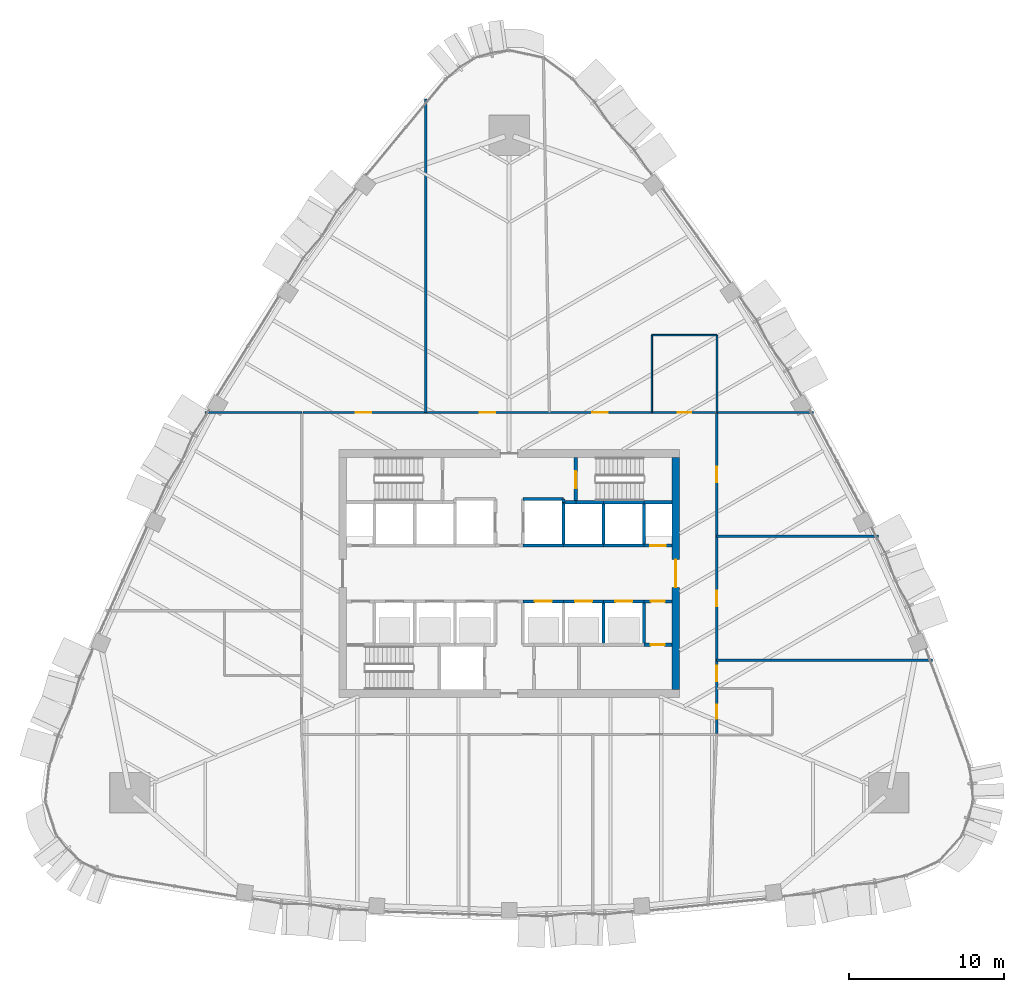
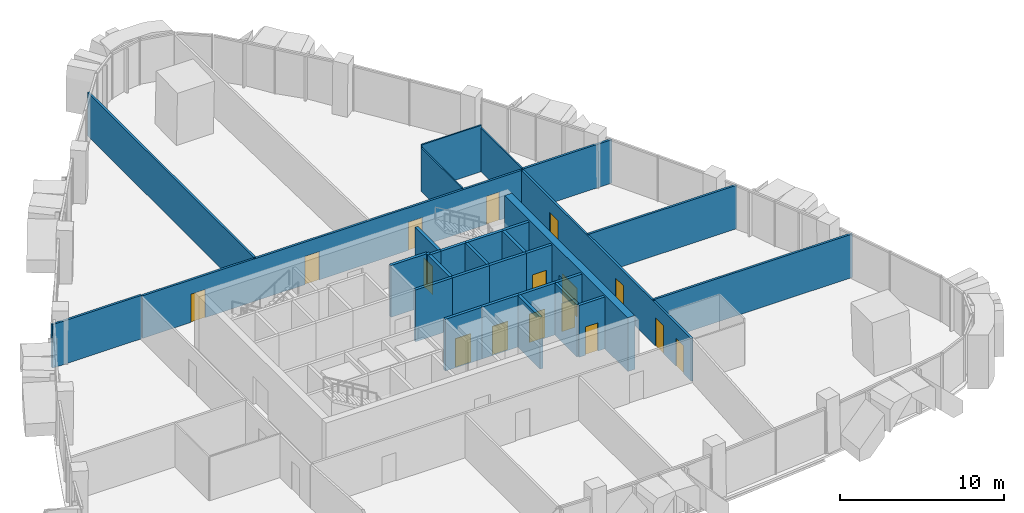
# One storey, part 12 of 17: 32 walls, 16 doors, 16 openings.
"""IFC4 building model written with IfcOpenShell, lengths in metres."""

from ifc_helpers import new_model, si_unit, direction, frame, frame_2d, origin, place, context, subcontext, project, spatial, rectangle, extrude, material, layer, layer_set, type_object, element, fill, save


model = new_model("IFC4")

# Units and contexts
model_context = context("Model", 3, precision=1e-05, world=origin(), true_north=direction((0.0, 1.0)))
body_context = subcontext(model_context, "Body", "Model", "MODEL_VIEW")
ifc_project = project(units=[si_unit("LENGTHUNIT", "METRE"), si_unit("AREAUNIT", "SQUARE_METRE"), si_unit("VOLUMEUNIT", "CUBIC_METRE"), si_unit("PLANEANGLEUNIT", "RADIAN"), si_unit("MASSUNIT", "GRAM", prefix="KILO")], contexts=[model_context])

# Site, building, storey
site_placement = place(None, origin())
site = spatial("IfcSite", under=ifc_project, at=site_placement, CompositionType="ELEMENT")
building_placement = place(site_placement, origin())
building = spatial("IfcBuilding", under=site, at=building_placement, Name="Sierra Prisma Convention Tower", CompositionType="ELEMENT")
storey_placement = place(building_placement, frame((0.0, 0.0, 145.800048828125)))
storey = spatial("IfcBuildingStorey", under=building, at=storey_placement, Name="L31", CompositionType="ELEMENT", Elevation=145.800048828125)

# Walls
ifc_material_1 = material(Name="Gypsum board partition", Category="gypsum")
ifc_layer_1 = layer(ifc_material_1, 0.10009765625)
ifc_layer_set_1 = layer_set([ifc_layer_1], Name="Bathroom partition 100")
wall_type_1 = type_object("IfcWallType", Name="Bathroom partition 100", PredefinedType="PARTITIONING", material=ifc_layer_set_1)
wall_1_placement = place(storey_placement, frame((9.219970703125, 10.429931640625, 0.0), z_axis=(0.0, 0.0, 1.0), x_axis=(0.0, 1.0, 0.0)))
element("IfcWall", 1, at=wall_1_placement, inside=storey, type_object=wall_type_1, Name="Partition L31 bath 3", PredefinedType="PARTITIONING", context=body_context, shape_type="SweptSolid", body=[
    extrude(rectangle(XDim=4.969970703125, YDim=0.10009765625, at=frame_2d((2.48486328125, 0.0))), origin(), (0.0, 0.0, 1.0), 3.2470703125),
])
wall_2_placement = place(storey_placement, frame((9.219970703125, 15.39990234375, 0.0), z_axis=(0.0, 0.0, 1.0), x_axis=(1.0, 0.0, 0.0)))
element("IfcWall", 2, at=wall_2_placement, inside=storey, type_object=wall_type_1, Name="Partition L31 bath 4", PredefinedType="PARTITIONING", context=body_context, shape_type="SweptSolid", body=[
    extrude(rectangle(XDim=4.199951171875, YDim=0.10009765625, at=frame_2d((2.10009765625, 0.0))), origin(), (0.0, 0.0, 1.0), 3.449951171875),
])
wall_3_placement = place(storey_placement, frame((13.419921875, 15.39990234375, 0.0), z_axis=(0.0, 0.0, 1.0), x_axis=(0.0, -1.0, 0.0)))
element("IfcWall", 3, at=wall_3_placement, inside=storey, type_object=wall_type_1, Name="Partition L31 bath 5", PredefinedType="PARTITIONING", context=body_context, shape_type="SweptSolid", body=[
    extrude(rectangle(XDim=4.969970703125, YDim=0.10009765625, at=frame_2d((2.48486328125, 0.0))), origin(), (0.0, 0.0, 1.0), 3.2470703125),
])

# Wall, opening, door
ifc_material_2 = material(Name="Concrete C30/37", Category="concrete")
ifc_layer_2 = layer(ifc_material_2, 0.199951171875)
ifc_layer_set_2 = layer_set([ifc_layer_2], Name="Core wall RC 200 C30/37")
wall_type_2 = type_object("IfcWallType", Name="Core wall RC 200 C30/37", PredefinedType="SOLIDWALL", material=ifc_layer_set_2)
wall_4_placement = place(storey_placement, frame((0.89990234375, -1.800048828125, 0.0), z_axis=(0.0, 0.0, 1.0), x_axis=(1.0, 0.0, 0.0)))
wall_4 = element("IfcWall", 4, at=wall_4_placement, inside=storey, type_object=wall_type_2, Name="Core wall L31 34", PredefinedType="SOLIDWALL", context=body_context, shape_type="SweptSolid", body=[
    extrude(rectangle(XDim=2.60009765625, YDim=0.199951171875, at=frame_2d((1.300048828125, 0.0))), origin(), (0.0, 0.0, 1.0), 3.849853515625),
])
opening_1_placement = place(wall_4_placement, frame((0.75, 0.0, 0.0)))
opening_1 = element("IfcOpeningElement", 5, at=opening_1_placement, cuts=wall_4, Name="Opening L31-D004", PredefinedType="OPENING", context=body_context, shape_type="SweptSolid", body=[
    extrude(rectangle(XDim=1.10009765625, YDim=2.10009765625, at=frame_2d((0.550048828125, 1.050048828125))), frame((0.0, 0.10009765625, 0.0), z_axis=(0.0, -1.0, 0.0), x_axis=(1.0, 0.0, 0.0)), (0.0, 0.0, 1.0), 0.199951171875),
])
ifc_material_3 = material(Name="Steel fire door leaf", Category="steel")
door_type_1 = type_object("IfcDoorType", Name="Door 1100x2100 EI 90 sliding lift landing", OperationType="SLIDING_TO_LEFT", PredefinedType="DOOR", material=ifc_material_3)
door_1_placement = place(opening_1_placement, origin())
door_1 = element("IfcDoor", 6, at=door_1_placement, inside=storey, type_object=door_type_1, Name="Door L31 18", OperationType="SLIDING_TO_LEFT", OverallHeight=2.10009765625, OverallWidth=1.10009765625, PredefinedType="DOOR", context=body_context, shape_type="SweptSolid", body=[
    extrude(rectangle(XDim=1.10009765625, YDim=2.10009765625, at=frame_2d((0.550048828125, 1.050048828125))), frame((0.0, 0.02490234375, 0.0), z_axis=(0.0, -1.0, 0.0), x_axis=(1.0, 0.0, 0.0)), (0.0, 0.0, 1.0), 0.050048828125),
])
fill(opening_1, door_1)

# Walls
wall_5_placement = place(storey_placement, frame((3.5, 1.800048828125, 0.0), z_axis=(0.0, 0.0, 1.0), x_axis=(-1.0, 0.0, 0.0)))
element("IfcWall", 7, at=wall_5_placement, inside=storey, type_object=wall_type_2, Name="Core wall L31 37", PredefinedType="SOLIDWALL", context=body_context, shape_type="SweptSolid", body=[
    extrude(rectangle(XDim=2.60009765625, YDim=0.199951171875, at=frame_2d((1.300048828125, 0.0))), origin(), (0.0, 0.0, 1.0), 3.849853515625),
])
wall_6_placement = place(storey_placement, frame((3.5, 4.60009765625, 0.0), z_axis=(0.0, 0.0, 1.0), x_axis=(0.0, 1.0, 0.0)))
element("IfcWall", 8, at=wall_6_placement, inside=storey, type_object=wall_type_2, Name="Core wall L31 38", PredefinedType="SOLIDWALL", context=body_context, shape_type="SweptSolid", body=[
    extrude(rectangle(XDim=0.199951171875, YDim=0.199951171875, at=frame_2d((0.10009765625, 0.0))), origin(), (0.0, 0.0, 1.0), 3.849853515625),
])
wall_7_placement = place(storey_placement, frame((3.5, 4.800048828125, 0.0), z_axis=(0.0, 0.0, 1.0), x_axis=(-1.0, 0.0, 0.0)))
element("IfcWall", 9, at=wall_7_placement, inside=storey, type_object=wall_type_2, Name="Core wall L31 39", PredefinedType="SOLIDWALL", context=body_context, shape_type="SweptSolid", body=[
    extrude(rectangle(XDim=2.60009765625, YDim=0.199951171875, at=frame_2d((1.300048828125, 0.0))), origin(), (0.0, 0.0, 1.0), 3.849853515625),
])

# Wall, opening, door
wall_8_placement = place(storey_placement, frame((3.5, -1.800048828125, 0.0), z_axis=(0.0, 0.0, 1.0), x_axis=(1.0, 0.0, 0.0)))
wall_8 = element("IfcWall", 10, at=wall_8_placement, inside=storey, type_object=wall_type_2, Name="Core wall L31 45", PredefinedType="SOLIDWALL", context=body_context, shape_type="SweptSolid", body=[
    extrude(rectangle(XDim=2.60009765625, YDim=0.199951171875, at=frame_2d((1.300048828125, 0.0))), origin(), (0.0, 0.0, 1.0), 3.849853515625),
])
opening_2_placement = place(wall_8_placement, frame((0.75, 0.0, 0.0)))
opening_2 = element("IfcOpeningElement", 11, at=opening_2_placement, cuts=wall_8, Name="Opening L31-D005", PredefinedType="OPENING", context=body_context, shape_type="SweptSolid", body=[
    extrude(rectangle(XDim=1.10009765625, YDim=2.10009765625, at=frame_2d((0.550048828125, 1.050048828125))), frame((0.0, 0.10009765625, 0.0), z_axis=(0.0, -1.0, 0.0), x_axis=(1.0, 0.0, 0.0)), (0.0, 0.0, 1.0), 0.199951171875),
])
door_2_placement = place(opening_2_placement, origin())
door_2 = element("IfcDoor", 12, at=door_2_placement, inside=storey, type_object=door_type_1, Name="Door L31 19", OperationType="SLIDING_TO_RIGHT", OverallHeight=2.10009765625, OverallWidth=1.10009765625, PredefinedType="DOOR", context=body_context, shape_type="SweptSolid", body=[
    extrude(rectangle(XDim=1.10009765625, YDim=2.10009765625, at=frame_2d((0.550048828125, 1.050048828125))), frame((0.0, 0.02490234375, 0.0), z_axis=(0.0, -1.0, 0.0), x_axis=(1.0, 0.0, 0.0)), (0.0, 0.0, 1.0), 0.050048828125),
])
fill(opening_2, door_2)

# Walls
wall_9_placement = place(storey_placement, frame((6.10009765625, 1.800048828125, 0.0), z_axis=(0.0, 0.0, 1.0), x_axis=(-1.0, 0.0, 0.0)))
element("IfcWall", 13, at=wall_9_placement, inside=storey, type_object=wall_type_2, Name="Core wall L31 46", PredefinedType="SOLIDWALL", context=body_context, shape_type="SweptSolid", body=[
    extrude(rectangle(XDim=2.60009765625, YDim=0.199951171875, at=frame_2d((1.300048828125, 0.0))), origin(), (0.0, 0.0, 1.0), 3.849853515625),
])
wall_10_placement = place(storey_placement, frame((3.5, 1.800048828125, 0.0), z_axis=(0.0, 0.0, 1.0), x_axis=(0.0, 1.0, 0.0)))
element("IfcWall", 14, at=wall_10_placement, inside=storey, type_object=wall_type_2, Name="Core wall L31 47", PredefinedType="SOLIDWALL", context=body_context, shape_type="SweptSolid", body=[
    extrude(rectangle(XDim=2.800048828125, YDim=0.199951171875, at=frame_2d((1.39990234375, 0.0))), origin(), (0.0, 0.0, 1.0), 3.849853515625),
])
wall_11_placement = place(storey_placement, frame((4.300048828125, 4.60009765625, 0.0), z_axis=(0.0, 0.0, 1.0), x_axis=(-1.0, 0.0, 0.0)))
element("IfcWall", 15, at=wall_11_placement, inside=storey, type_object=wall_type_2, Name="Core wall L31 48", PredefinedType="SOLIDWALL", context=body_context, shape_type="SweptSolid", body=[
    extrude(rectangle(XDim=0.800048828125, YDim=0.199951171875, at=frame_2d((0.39990234375, 0.0))), origin(), (0.0, 0.0, 1.0), 3.849853515625),
])
wall_12_placement = place(storey_placement, frame((6.10009765625, 4.60009765625, 0.0), z_axis=(0.0, 0.0, 1.0), x_axis=(-1.0, 0.0, 0.0)))
element("IfcWall", 16, at=wall_12_placement, inside=storey, type_object=wall_type_2, Name="Core wall L31 49", PredefinedType="SOLIDWALL", context=body_context, shape_type="SweptSolid", body=[
    extrude(rectangle(XDim=1.800048828125, YDim=0.199951171875, at=frame_2d((0.89990234375, 0.0))), origin(), (0.0, 0.0, 1.0), 3.849853515625),
])

# Wall, opening, door
wall_13_placement = place(storey_placement, frame((4.300048828125, 7.5, 0.0), z_axis=(0.0, 0.0, 1.0), x_axis=(0.0, -1.0, 0.0)))
wall_13 = element("IfcWall", 17, at=wall_13_placement, inside=storey, type_object=wall_type_2, Name="Core wall L31 50", PredefinedType="SOLIDWALL", context=body_context, shape_type="SweptSolid", body=[
    extrude(rectangle(XDim=2.89990234375, YDim=0.199951171875, at=frame_2d((1.449951171875, 0.0))), origin(), (0.0, 0.0, 1.0), 3.849853515625),
])
opening_3_placement = place(wall_13_placement, frame((0.89990234375, 0.0, 0.0)))
opening_3 = element("IfcOpeningElement", 18, at=opening_3_placement, cuts=wall_13, Name="Opening L31-D017", PredefinedType="OPENING", context=body_context, shape_type="SweptSolid", body=[
    extrude(rectangle(XDim=1.10009765625, YDim=2.10009765625, at=frame_2d((0.550048828125, 1.050048828125))), frame((0.0, 0.10009765625, 0.0), z_axis=(0.0, -1.0, 0.0), x_axis=(1.0, 0.0, 0.0)), (0.0, 0.0, 1.0), 0.199951171875),
])
ifc_material_4 = material(Name="Steel fire door leaf", Category="steel")
door_type_2 = type_object("IfcDoorType", Name="Door 1100x2100 FD90S", OperationType="SINGLE_SWING_LEFT", PredefinedType="DOOR", material=ifc_material_4)
door_3_placement = place(opening_3_placement, origin())
door_3 = element("IfcDoor", 19, at=door_3_placement, inside=storey, type_object=door_type_2, Name="Door L31 31", OperationType="SINGLE_SWING_RIGHT", OverallHeight=2.10009765625, OverallWidth=1.10009765625, PredefinedType="DOOR", context=body_context, shape_type="SweptSolid", body=[
    extrude(rectangle(XDim=1.10009765625, YDim=2.10009765625, at=frame_2d((0.550048828125, 1.050048828125))), frame((0.0, 0.02490234375, 0.0), z_axis=(0.0, -1.0, 0.0), x_axis=(1.0, 0.0, 0.0)), (0.0, 0.0, 1.0), 0.050048828125),
])
fill(opening_3, door_3)

# Wall
wall_14_placement = place(storey_placement, frame((6.10009765625, -4.60009765625, 0.0), z_axis=(0.0, 0.0, 1.0), x_axis=(0.0, 1.0, 0.0)))
element("IfcWall", 20, at=wall_14_placement, inside=storey, type_object=wall_type_2, Name="Core wall L31 54", PredefinedType="SOLIDWALL", context=body_context, shape_type="SweptSolid", body=[
    extrude(rectangle(XDim=2.800048828125, YDim=0.199951171875, at=frame_2d((1.39990234375, 0.0))), origin(), (0.0, 0.0, 1.0), 3.849853515625),
])

# Wall, opening, door
wall_15_placement = place(storey_placement, frame((6.10009765625, -1.800048828125, 0.0), z_axis=(0.0, 0.0, 1.0), x_axis=(1.0, 0.0, 0.0)))
wall_15 = element("IfcWall", 21, at=wall_15_placement, inside=storey, type_object=wall_type_2, Name="Core wall L31 55", PredefinedType="SOLIDWALL", context=body_context, shape_type="SweptSolid", body=[
    extrude(rectangle(XDim=2.599853515625, YDim=0.199951171875, at=frame_2d((1.2998046875, 0.0))), origin(), (0.0, 0.0, 1.0), 3.849853515625),
])
opening_4_placement = place(wall_15_placement, frame((0.75, 0.0, 0.0)))
opening_4 = element("IfcOpeningElement", 22, at=opening_4_placement, cuts=wall_15, Name="Opening L31-D006", PredefinedType="OPENING", context=body_context, shape_type="SweptSolid", body=[
    extrude(rectangle(XDim=1.10009765625, YDim=2.10009765625, at=frame_2d((0.550048828125, 1.050048828125))), frame((0.0, 0.10009765625, 0.0), z_axis=(0.0, -1.0, 0.0), x_axis=(1.0, 0.0, 0.0)), (0.0, 0.0, 1.0), 0.199951171875),
])
door_4_placement = place(opening_4_placement, origin())
door_4 = element("IfcDoor", 23, at=door_4_placement, inside=storey, type_object=door_type_1, Name="Door L31 20", OperationType="SLIDING_TO_RIGHT", OverallHeight=2.10009765625, OverallWidth=1.10009765625, PredefinedType="DOOR", context=body_context, shape_type="SweptSolid", body=[
    extrude(rectangle(XDim=1.10009765625, YDim=2.10009765625, at=frame_2d((0.550048828125, 1.050048828125))), frame((0.0, 0.02490234375, 0.0), z_axis=(0.0, -1.0, 0.0), x_axis=(1.0, 0.0, 0.0)), (0.0, 0.0, 1.0), 0.050048828125),
])
fill(opening_4, door_4)

# Walls
wall_16_placement = place(storey_placement, frame((8.699951171875, 1.800048828125, 0.0), z_axis=(0.0, 0.0, 1.0), x_axis=(-1.0, 0.0, 0.0)))
element("IfcWall", 24, at=wall_16_placement, inside=storey, type_object=wall_type_2, Name="Core wall L31 56", PredefinedType="SOLIDWALL", context=body_context, shape_type="SweptSolid", body=[
    extrude(rectangle(XDim=2.599853515625, YDim=0.199951171875, at=frame_2d((1.2998046875, 0.0))), origin(), (0.0, 0.0, 1.0), 3.849853515625),
])
wall_17_placement = place(storey_placement, frame((6.10009765625, 1.800048828125, 0.0), z_axis=(0.0, 0.0, 1.0), x_axis=(0.0, 1.0, 0.0)))
element("IfcWall", 25, at=wall_17_placement, inside=storey, type_object=wall_type_2, Name="Core wall L31 57", PredefinedType="SOLIDWALL", context=body_context, shape_type="SweptSolid", body=[
    extrude(rectangle(XDim=2.800048828125, YDim=0.199951171875, at=frame_2d((1.39990234375, 0.0))), origin(), (0.0, 0.0, 1.0), 3.849853515625),
])
wall_18_placement = place(storey_placement, frame((8.699951171875, 4.60009765625, 0.0), z_axis=(0.0, 0.0, 1.0), x_axis=(-1.0, 0.0, 0.0)))
element("IfcWall", 26, at=wall_18_placement, inside=storey, type_object=wall_type_2, Name="Core wall L31 58", PredefinedType="SOLIDWALL", context=body_context, shape_type="SweptSolid", body=[
    extrude(rectangle(XDim=2.599853515625, YDim=0.199951171875, at=frame_2d((1.2998046875, 0.0))), origin(), (0.0, 0.0, 1.0), 3.849853515625),
])

# Wall, opening, door
wall_19_placement = place(storey_placement, frame((10.5, -4.60009765625, 0.0), z_axis=(0.0, 0.0, 1.0), x_axis=(-1.0, 0.0, 0.0)))
wall_19 = element("IfcWall", 27, at=wall_19_placement, inside=storey, type_object=wall_type_2, Name="Core wall L31 59", PredefinedType="SOLIDWALL", context=body_context, shape_type="SweptSolid", body=[
    extrude(rectangle(XDim=1.800048828125, YDim=0.199951171875, at=frame_2d((0.89990234375, 0.0))), origin(), (0.0, 0.0, 1.0), 3.849853515625),
])
opening_5_placement = place(wall_19_placement, frame((0.4599609375, 0.0, 0.0)))
opening_5 = element("IfcOpeningElement", 28, at=opening_5_placement, cuts=wall_19, Name="Opening L31-D018", PredefinedType="OPENING", context=body_context, shape_type="SweptSolid", body=[
    extrude(rectangle(XDim=0.89990234375, YDim=2.10009765625, at=frame_2d((0.449951171875, 1.050048828125))), frame((0.0, 0.10009765625, 0.0), z_axis=(0.0, -1.0, 0.0), x_axis=(1.0, 0.0, 0.0)), (0.0, 0.0, 1.0), 0.199951171875),
])
ifc_material_5 = material(Name="Steel fire door leaf", Category="steel")
door_type_3 = type_object("IfcDoorType", Name="Door 900x2100 FD30S", OperationType="SINGLE_SWING_LEFT", PredefinedType="DOOR", material=ifc_material_5)
door_5_placement = place(opening_5_placement, origin())
door_5 = element("IfcDoor", 29, at=door_5_placement, inside=storey, type_object=door_type_3, Name="Door L31 32", OperationType="SINGLE_SWING_LEFT", OverallHeight=2.10009765625, OverallWidth=0.89990234375, PredefinedType="DOOR", context=body_context, shape_type="SweptSolid", body=[
    extrude(rectangle(XDim=0.89990234375, YDim=2.10009765625, at=frame_2d((0.449951171875, 1.050048828125))), frame((0.0, 0.02490234375, 0.0), z_axis=(0.0, -1.0, 0.0), x_axis=(1.0, 0.0, 0.0)), (0.0, 0.0, 1.0), 0.050048828125),
])
fill(opening_5, door_5)

# Wall
wall_20_placement = place(storey_placement, frame((8.699951171875, -1.800048828125, 0.0), z_axis=(0.0, 0.0, 1.0), x_axis=(0.0, -1.0, 0.0)))
element("IfcWall", 30, at=wall_20_placement, inside=storey, type_object=wall_type_2, Name="Core wall L31 60", PredefinedType="SOLIDWALL", context=body_context, shape_type="SweptSolid", body=[
    extrude(rectangle(XDim=2.800048828125, YDim=0.199951171875, at=frame_2d((1.39990234375, 0.0))), origin(), (0.0, 0.0, 1.0), 3.849853515625),
])

# Wall, opening, door
wall_21_placement = place(storey_placement, frame((8.699951171875, -1.800048828125, 0.0), z_axis=(0.0, 0.0, 1.0), x_axis=(1.0, 0.0, 0.0)))
wall_21 = element("IfcWall", 31, at=wall_21_placement, inside=storey, type_object=wall_type_2, Name="Core wall L31 61", PredefinedType="SOLIDWALL", context=body_context, shape_type="SweptSolid", body=[
    extrude(rectangle(XDim=1.800048828125, YDim=0.199951171875, at=frame_2d((0.89990234375, 0.0))), origin(), (0.0, 0.0, 1.0), 3.849853515625),
])
opening_6_placement = place(wall_21_placement, frame((0.449951171875, 0.0, 0.0)))
opening_6 = element("IfcOpeningElement", 32, at=opening_6_placement, cuts=wall_21, Name="Opening L31-D019", PredefinedType="OPENING", context=body_context, shape_type="SweptSolid", body=[
    extrude(rectangle(XDim=0.89990234375, YDim=2.10009765625, at=frame_2d((0.449951171875, 1.050048828125))), frame((0.0, 0.10009765625, 0.0), z_axis=(0.0, -1.0, 0.0), x_axis=(1.0, 0.0, 0.0)), (0.0, 0.0, 1.0), 0.199951171875),
])
door_6_placement = place(opening_6_placement, origin())
door_6 = element("IfcDoor", 33, at=door_6_placement, inside=storey, type_object=door_type_3, Name="Door L31 33", OperationType="SINGLE_SWING_RIGHT", OverallHeight=2.10009765625, OverallWidth=0.89990234375, PredefinedType="DOOR", context=body_context, shape_type="SweptSolid", body=[
    extrude(rectangle(XDim=0.89990234375, YDim=2.10009765625, at=frame_2d((0.449951171875, 1.050048828125))), frame((0.0, 0.02490234375, 0.0), z_axis=(0.0, -1.0, 0.0), x_axis=(1.0, 0.0, 0.0)), (0.0, 0.0, 1.0), 0.050048828125),
])
fill(opening_6, door_6)

wall_22_placement = place(storey_placement, frame((10.5, 1.800048828125, 0.0), z_axis=(0.0, 0.0, 1.0), x_axis=(-1.0, 0.0, 0.0)))
wall_22 = element("IfcWall", 34, at=wall_22_placement, inside=storey, type_object=wall_type_2, Name="Core wall L31 62", PredefinedType="SOLIDWALL", context=body_context, shape_type="SweptSolid", body=[
    extrude(rectangle(XDim=1.800048828125, YDim=0.199951171875, at=frame_2d((0.89990234375, 0.0))), origin(), (0.0, 0.0, 1.0), 3.849853515625),
])
opening_7_placement = place(wall_22_placement, frame((0.39990234375, 0.0, 0.0)))
opening_7 = element("IfcOpeningElement", 35, at=opening_7_placement, cuts=wall_22, Name="Opening L31-D014", PredefinedType="OPENING", context=body_context, shape_type="SweptSolid", body=[
    extrude(rectangle(XDim=1.0, YDim=2.10009765625, at=frame_2d((0.5, 1.050048828125))), frame((0.0, 0.10009765625, 0.0), z_axis=(0.0, -1.0, 0.0), x_axis=(1.0, 0.0, 0.0)), (0.0, 0.0, 1.0), 0.199951171875),
])
ifc_material_6 = material(Name="Steel fire door leaf", Category="steel")
door_type_4 = type_object("IfcDoorType", Name="Door 1000x2100 FD60S", OperationType="SINGLE_SWING_LEFT", PredefinedType="DOOR", material=ifc_material_6)
door_7_placement = place(opening_7_placement, origin())
door_7 = element("IfcDoor", 36, at=door_7_placement, inside=storey, type_object=door_type_4, Name="Door L31 28", OperationType="SINGLE_SWING_LEFT", OverallHeight=2.10009765625, OverallWidth=1.0, PredefinedType="DOOR", context=body_context, shape_type="SweptSolid", body=[
    extrude(rectangle(XDim=1.0, YDim=2.10009765625, at=frame_2d((0.5, 1.050048828125))), frame((0.0, 0.02490234375, 0.0), z_axis=(0.0, -1.0, 0.0), x_axis=(1.0, 0.0, 0.0)), (0.0, 0.0, 1.0), 0.050048828125),
])
fill(opening_7, door_7)

# Walls
wall_23_placement = place(storey_placement, frame((8.699951171875, 4.60009765625, 0.0), z_axis=(0.0, 0.0, 1.0), x_axis=(0.0, -1.0, 0.0)))
element("IfcWall", 37, at=wall_23_placement, inside=storey, type_object=wall_type_2, Name="Core wall L31 63", PredefinedType="SOLIDWALL", context=body_context, shape_type="SweptSolid", body=[
    extrude(rectangle(XDim=2.800048828125, YDim=0.199951171875, at=frame_2d((1.39990234375, 0.0))), origin(), (0.0, 0.0, 1.0), 3.849853515625),
])
wall_24_placement = place(storey_placement, frame((10.5, 4.60009765625, 0.0), z_axis=(0.0, 0.0, 1.0), x_axis=(-1.0, 0.0, 0.0)))
element("IfcWall", 38, at=wall_24_placement, inside=storey, type_object=wall_type_2, Name="Core wall L31 64", PredefinedType="SOLIDWALL", context=body_context, shape_type="SweptSolid", body=[
    extrude(rectangle(XDim=1.800048828125, YDim=0.199951171875, at=frame_2d((0.89990234375, 0.0))), origin(), (0.0, 0.0, 1.0), 3.849853515625),
])

# Wall, opening, door
ifc_material_7 = material(Name="Concrete C60/75", Category="concrete")
ifc_layer_3 = layer(ifc_material_7, 0.5)
ifc_layer_set_3 = layer_set([ifc_layer_3], Name="Core wall RC 500 C60/75")
wall_type_3 = type_object("IfcWallType", Name="Core wall RC 500 C60/75", PredefinedType="SHEAR", material=ifc_layer_set_3)
wall_25_placement = place(storey_placement, frame((10.75, -7.5, 0.0), z_axis=(0.0, 0.0, 1.0), x_axis=(0.0, 1.0, 0.0)))
wall_25 = element("IfcWall", 39, at=wall_25_placement, inside=storey, type_object=wall_type_3, Name="Core wall E L31", PredefinedType="SHEAR", context=body_context, shape_type="SweptSolid", body=[
    extrude(rectangle(XDim=15.0, YDim=0.5, at=frame_2d((7.5, 0.0))), origin(), (0.0, 0.0, 1.0), 4.0),
])
opening_8_placement = place(wall_25_placement, frame((6.60009765625, 0.0, 0.0)))
opening_8 = element("IfcOpeningElement", 40, at=opening_8_placement, cuts=wall_25, Name="Opening L31-D035", PredefinedType="OPENING", context=body_context, shape_type="SweptSolid", body=[
    extrude(rectangle(XDim=1.800048828125, YDim=2.10009765625, at=frame_2d((0.89990234375, 1.050048828125))), frame((0.0, 0.25, 0.0), z_axis=(0.0, -1.0, 0.0), x_axis=(1.0, 0.0, 0.0)), (0.0, 0.0, 1.0), 0.5),
])
ifc_material_8 = material(Name="Steel fire door leaf", Category="steel")
door_type_5 = type_object("IfcDoorType", Name="Door 1800x2100 FD60S", OperationType="DOUBLE_DOOR_SINGLE_SWING", PredefinedType="DOOR", material=ifc_material_8)
door_8_placement = place(opening_8_placement, origin())
door_8 = element("IfcDoor", 41, at=door_8_placement, inside=storey, type_object=door_type_5, Name="Door L31 36", OperationType="DOUBLE_DOOR_SINGLE_SWING", OverallHeight=2.10009765625, OverallWidth=1.800048828125, PredefinedType="DOOR", context=body_context, shape_type="SweptSolid", body=[
    extrude(rectangle(XDim=1.800048828125, YDim=2.10009765625, at=frame_2d((0.89990234375, 1.050048828125))), frame((0.0, 0.02490234375, 0.0), z_axis=(0.0, -1.0, 0.0), x_axis=(1.0, 0.0, 0.0)), (0.0, 0.0, 1.0), 0.050048828125),
])
fill(opening_8, door_8)

# Wall, openings, doors
ifc_material_9 = material(Name="Gypsum board partition", Category="gypsum")
ifc_layer_4 = layer(ifc_material_9, 0.14990234375)
ifc_layer_set_4 = layer_set([ifc_layer_4], Name="Corridor wall 150 gypsum EI 60")
wall_type_4 = type_object("IfcWallType", Name="Corridor wall 150 gypsum EI 60", PredefinedType="PARTITIONING", material=ifc_layer_set_4)
wall_26_placement = place(storey_placement, frame((13.320068359375, 10.39990234375, 0.0), z_axis=(0.0, 0.0, 1.0), x_axis=(-1.0, 0.0, 0.0)))
wall_26 = element("IfcWall", 42, at=wall_26_placement, inside=storey, type_object=wall_type_4, Name="Partition L31 corr 3", PredefinedType="PARTITIONING", context=body_context, shape_type="SweptSolid", body=[
    extrude(rectangle(XDim=26.64013671875, YDim=0.14990234375, at=frame_2d((13.320068359375, 0.0))), origin(), (0.0, 0.0, 1.0), 3.166015625),
])
opening_9_placement = place(wall_26_placement, frame((1.550048828125, 0.0, 0.0)))
opening_9 = element("IfcOpeningElement", 43, at=opening_9_placement, cuts=wall_26, Name="Opening L31-D022", PredefinedType="OPENING", context=body_context, shape_type="SweptSolid", body=[
    extrude(rectangle(XDim=0.89990234375, YDim=2.10009765625, at=frame_2d((0.449951171875, 1.050048828125))), frame((0.0, 0.074951171875, 0.0), z_axis=(0.0, -1.0, 0.0), x_axis=(1.0, 0.0, 0.0)), (0.0, 0.0, 1.0), 0.14990234375),
])
opening_10_placement = place(wall_26_placement, frame((6.9599609375, 0.0, 0.0)))
opening_10 = element("IfcOpeningElement", 44, at=opening_10_placement, cuts=wall_26, Name="Opening L31-D023", PredefinedType="OPENING", context=body_context, shape_type="SweptSolid", body=[
    extrude(rectangle(XDim=1.0, YDim=2.10009765625, at=frame_2d((0.5, 1.050048828125))), frame((0.0, 0.074951171875, 0.0), z_axis=(0.0, -1.0, 0.0), x_axis=(1.0, 0.0, 0.0)), (0.0, 0.0, 1.0), 0.14990234375),
])
opening_11_placement = place(wall_26_placement, frame((14.219970703125, 0.0, 0.0)))
opening_11 = element("IfcOpeningElement", 45, at=opening_11_placement, cuts=wall_26, Name="Opening L31-D024", PredefinedType="OPENING", context=body_context, shape_type="SweptSolid", body=[
    extrude(rectangle(XDim=1.0, YDim=2.10009765625, at=frame_2d((0.5, 1.050048828125))), frame((0.0, 0.074951171875, 0.0), z_axis=(0.0, -1.0, 0.0), x_axis=(1.0, 0.0, 0.0)), (0.0, 0.0, 1.0), 0.14990234375),
])
opening_12_placement = place(wall_26_placement, frame((22.22998046875, 0.0, 0.0)))
opening_12 = element("IfcOpeningElement", 46, at=opening_12_placement, cuts=wall_26, Name="Opening L31-D025", PredefinedType="OPENING", context=body_context, shape_type="SweptSolid", body=[
    extrude(rectangle(XDim=1.0, YDim=2.10009765625, at=frame_2d((0.5, 1.050048828125))), frame((0.0, 0.074951171875, 0.0), z_axis=(0.0, -1.0, 0.0), x_axis=(1.0, 0.0, 0.0)), (0.0, 0.0, 1.0), 0.14990234375),
])
ifc_material_10 = material(Name="Steel fire door leaf", Category="steel")
door_type_6 = type_object("IfcDoorType", Name="Door 1000x2100 FD30S", OperationType="SINGLE_SWING_LEFT", PredefinedType="DOOR", material=ifc_material_10)
door_9_placement = place(opening_10_placement, origin())
door_9 = element("IfcDoor", 47, at=door_9_placement, inside=storey, type_object=door_type_6, Name="Door L31 3", OperationType="SINGLE_SWING_LEFT", OverallHeight=2.10009765625, OverallWidth=1.0, PredefinedType="DOOR", context=body_context, shape_type="SweptSolid", body=[
    extrude(rectangle(XDim=1.0, YDim=2.10009765625, at=frame_2d((0.5, 1.050048828125))), frame((0.0, 0.02490234375, 0.0), z_axis=(0.0, -1.0, 0.0), x_axis=(1.0, 0.0, 0.0)), (0.0, 0.0, 1.0), 0.050048828125),
])
fill(opening_10, door_9)
door_10_placement = place(opening_11_placement, origin())
door_10 = element("IfcDoor", 48, at=door_10_placement, inside=storey, type_object=door_type_6, Name="Door L31 4", OperationType="SINGLE_SWING_LEFT", OverallHeight=2.10009765625, OverallWidth=1.0, PredefinedType="DOOR", context=body_context, shape_type="SweptSolid", body=[
    extrude(rectangle(XDim=1.0, YDim=2.10009765625, at=frame_2d((0.5, 1.050048828125))), frame((0.0, 0.02490234375, 0.0), z_axis=(0.0, -1.0, 0.0), x_axis=(1.0, 0.0, 0.0)), (0.0, 0.0, 1.0), 0.050048828125),
])
fill(opening_11, door_10)
door_11_placement = place(opening_12_placement, origin())
door_11 = element("IfcDoor", 49, at=door_11_placement, inside=storey, type_object=door_type_6, Name="Door L31 5", OperationType="SINGLE_SWING_RIGHT", OverallHeight=2.10009765625, OverallWidth=1.0, PredefinedType="DOOR", context=body_context, shape_type="SweptSolid", body=[
    extrude(rectangle(XDim=1.0, YDim=2.10009765625, at=frame_2d((0.5, 1.050048828125))), frame((0.0, 0.02490234375, 0.0), z_axis=(0.0, -1.0, 0.0), x_axis=(1.0, 0.0, 0.0)), (0.0, 0.0, 1.0), 0.050048828125),
])
fill(opening_12, door_11)
door_12_placement = place(opening_9_placement, origin())
door_12 = element("IfcDoor", 50, at=door_12_placement, inside=storey, type_object=door_type_3, Name="Door L31 2", OperationType="SINGLE_SWING_RIGHT", OverallHeight=2.10009765625, OverallWidth=0.89990234375, PredefinedType="DOOR", context=body_context, shape_type="SweptSolid", body=[
    extrude(rectangle(XDim=0.89990234375, YDim=2.10009765625, at=frame_2d((0.449951171875, 1.050048828125))), frame((0.0, 0.02490234375, 0.0), z_axis=(0.0, -1.0, 0.0), x_axis=(1.0, 0.0, 0.0)), (0.0, 0.0, 1.0), 0.050048828125),
])
fill(opening_9, door_12)

wall_27_placement = place(storey_placement, frame((13.39990234375, -10.320068359375, 0.0), z_axis=(0.0, 0.0, 1.0), x_axis=(0.0, 1.0, 0.0)))
wall_27 = element("IfcWall", 51, at=wall_27_placement, inside=storey, type_object=wall_type_4, Name="Partition L31 corr 4", PredefinedType="PARTITIONING", context=body_context, shape_type="SweptSolid", body=[
    extrude(rectangle(XDim=20.64013671875, YDim=0.14990234375, at=frame_2d((10.320068359375, 0.0))), origin(), (0.0, 0.0, 1.0), 3.166015625),
])
opening_13_placement = place(wall_27_placement, frame((16.219970703125, 0.0, 0.0)))
opening_13 = element("IfcOpeningElement", 52, at=opening_13_placement, cuts=wall_27, Name="Opening L31-D021", PredefinedType="OPENING", context=body_context, shape_type="SweptSolid", body=[
    extrude(rectangle(XDim=1.0, YDim=2.10009765625, at=frame_2d((0.5, 1.050048828125))), frame((0.0, 0.074951171875, 0.0), z_axis=(0.0, -1.0, 0.0), x_axis=(1.0, 0.0, 0.0)), (0.0, 0.0, 1.0), 0.14990234375),
])
opening_14_placement = place(wall_27_placement, frame((0.949951171875, 0.0, 0.0)))
opening_14 = element("IfcOpeningElement", 53, at=opening_14_placement, cuts=wall_27, Name="Opening L31-D032", PredefinedType="OPENING", context=body_context, shape_type="SweptSolid", body=[
    extrude(rectangle(XDim=0.89990234375, YDim=2.10009765625, at=frame_2d((0.449951171875, 1.050048828125))), frame((0.0, 0.074951171875, 0.0), z_axis=(0.0, -1.0, 0.0), x_axis=(1.0, 0.0, 0.0)), (0.0, 0.0, 1.0), 0.14990234375),
])
opening_15_placement = place(wall_27_placement, frame((3.360107421875, 0.0, 0.0)))
opening_15 = element("IfcOpeningElement", 54, at=opening_15_placement, cuts=wall_27, Name="Opening L31-D033", PredefinedType="OPENING", context=body_context, shape_type="SweptSolid", body=[
    extrude(rectangle(XDim=1.0, YDim=2.10009765625, at=frame_2d((0.5, 1.050048828125))), frame((0.0, 0.074951171875, 0.0), z_axis=(0.0, -1.0, 0.0), x_axis=(1.0, 0.0, 0.0)), (0.0, 0.0, 1.0), 0.14990234375),
])
opening_16_placement = place(wall_27_placement, frame((8.219970703125, 0.0, 0.0)))
opening_16 = element("IfcOpeningElement", 55, at=opening_16_placement, cuts=wall_27, Name="Opening L31-D034", PredefinedType="OPENING", context=body_context, shape_type="SweptSolid", body=[
    extrude(rectangle(XDim=1.0, YDim=2.10009765625, at=frame_2d((0.5, 1.050048828125))), frame((0.0, 0.074951171875, 0.0), z_axis=(0.0, -1.0, 0.0), x_axis=(1.0, 0.0, 0.0)), (0.0, 0.0, 1.0), 0.14990234375),
])
door_13_placement = place(opening_13_placement, origin())
door_13 = element("IfcDoor", 56, at=door_13_placement, inside=storey, type_object=door_type_6, Name="Door L31 1", OperationType="SINGLE_SWING_LEFT", OverallHeight=2.10009765625, OverallWidth=1.0, PredefinedType="DOOR", context=body_context, shape_type="SweptSolid", body=[
    extrude(rectangle(XDim=1.0, YDim=2.10009765625, at=frame_2d((0.5, 1.050048828125))), frame((0.0, 0.02490234375, 0.0), z_axis=(0.0, -1.0, 0.0), x_axis=(1.0, 0.0, 0.0)), (0.0, 0.0, 1.0), 0.050048828125),
])
fill(opening_13, door_13)
door_14_placement = place(opening_15_placement, origin())
door_14 = element("IfcDoor", 57, at=door_14_placement, inside=storey, type_object=door_type_6, Name="Door L31 13", OperationType="SINGLE_SWING_RIGHT", OverallHeight=2.10009765625, OverallWidth=1.0, PredefinedType="DOOR", context=body_context, shape_type="SweptSolid", body=[
    extrude(rectangle(XDim=1.0, YDim=2.10009765625, at=frame_2d((0.5, 1.050048828125))), frame((0.0, 0.02490234375, 0.0), z_axis=(0.0, -1.0, 0.0), x_axis=(1.0, 0.0, 0.0)), (0.0, 0.0, 1.0), 0.050048828125),
])
fill(opening_15, door_14)
door_15_placement = place(opening_16_placement, origin())
door_15 = element("IfcDoor", 58, at=door_15_placement, inside=storey, type_object=door_type_6, Name="Door L31 14", OperationType="SINGLE_SWING_RIGHT", OverallHeight=2.10009765625, OverallWidth=1.0, PredefinedType="DOOR", context=body_context, shape_type="SweptSolid", body=[
    extrude(rectangle(XDim=1.0, YDim=2.10009765625, at=frame_2d((0.5, 1.050048828125))), frame((0.0, 0.02490234375, 0.0), z_axis=(0.0, -1.0, 0.0), x_axis=(1.0, 0.0, 0.0)), (0.0, 0.0, 1.0), 0.050048828125),
])
fill(opening_16, door_15)
door_16_placement = place(opening_14_placement, origin())
door_16 = element("IfcDoor", 59, at=door_16_placement, inside=storey, type_object=door_type_3, Name="Door L31 12", OperationType="SINGLE_SWING_RIGHT", OverallHeight=2.10009765625, OverallWidth=0.89990234375, PredefinedType="DOOR", context=body_context, shape_type="SweptSolid", body=[
    extrude(rectangle(XDim=0.89990234375, YDim=2.10009765625, at=frame_2d((0.449951171875, 1.050048828125))), frame((0.0, 0.02490234375, 0.0), z_axis=(0.0, -1.0, 0.0), x_axis=(1.0, 0.0, 0.0)), (0.0, 0.0, 1.0), 0.050048828125),
])
fill(opening_14, door_16)

# Walls
ifc_material_11 = material(Name="Gypsum board partition", Category="gypsum")
ifc_layer_5 = layer(ifc_material_11, 0.14990234375)
ifc_layer_set_5 = layer_set([ifc_layer_5], Name="Party wall 150 gypsum")
wall_type_5 = type_object("IfcWallType", Name="Party wall 150 gypsum", PredefinedType="PARTITIONING", material=ifc_layer_set_5)
wall_28_placement = place(storey_placement, frame((-13.39990234375, 10.39990234375, 0.0), z_axis=(0.0, 0.0, 1.0), x_axis=(-1.0, 0.0, 0.0)))
element("IfcWall", 60, at=wall_28_placement, inside=storey, type_object=wall_type_5, Name="Partition L31 party 2", PredefinedType="PARTITIONING", context=body_context, shape_type="SweptSolid", body=[
    extrude(rectangle(XDim=6.265380859375, YDim=0.14990234375, at=frame_2d((3.1328125, 0.0))), origin(), (0.0, 0.0, 1.0), 3.23388671875),
])
wall_29_placement = place(storey_placement, frame((-5.39990234375, 10.39990234375, 0.0), z_axis=(0.0, 0.0, 1.0), x_axis=(0.0, 1.0, 0.0)))
element("IfcWall", 61, at=wall_29_placement, inside=storey, type_object=wall_type_5, Name="Partition L31 party 4", PredefinedType="PARTITIONING", context=body_context, shape_type="SweptSolid", body=[
    extrude(rectangle(XDim=20.248046875, YDim=0.14990234375, at=frame_2d((10.1240234375, 0.0))), origin(), (0.0, 0.0, 1.0), 3.23388671875),
])
wall_30_placement = place(storey_placement, frame((13.39990234375, -5.60009765625, 0.0), z_axis=(0.0, 0.0, 1.0), x_axis=(1.0, 0.0, 0.0)))
element("IfcWall", 62, at=wall_30_placement, inside=storey, type_object=wall_type_5, Name="Partition L31 party 9", PredefinedType="PARTITIONING", context=body_context, shape_type="SweptSolid", body=[
    extrude(rectangle(XDim=13.953125, YDim=0.14990234375, at=frame_2d((6.9765625, 0.0))), origin(), (0.0, 0.0, 1.0), 3.23388671875),
])
wall_31_placement = place(storey_placement, frame((23.853759765625, 2.39990234375, 0.0), z_axis=(0.0, 0.0, 1.0), x_axis=(-1.0, 0.0, 0.0)))
element("IfcWall", 63, at=wall_31_placement, inside=storey, type_object=wall_type_5, Name="Partition L31 party 10", PredefinedType="PARTITIONING", context=body_context, shape_type="SweptSolid", body=[
    extrude(rectangle(XDim=10.453857421875, YDim=0.14990234375, at=frame_2d((5.22705078125, 0.0))), origin(), (0.0, 0.0, 1.0), 3.23388671875),
])
wall_32_placement = place(storey_placement, frame((13.39990234375, 10.39990234375, 0.0), z_axis=(0.0, 0.0, 1.0), x_axis=(1.0, 0.0, 0.0)))
element("IfcWall", 64, at=wall_32_placement, inside=storey, type_object=wall_type_5, Name="Partition L31 party 11", PredefinedType="PARTITIONING", context=body_context, shape_type="SweptSolid", body=[
    extrude(rectangle(XDim=6.265380859375, YDim=0.14990234375, at=frame_2d((3.1328125, 0.0))), origin(), (0.0, 0.0, 1.0), 3.23388671875),
])

save(model, "model.ifc")
